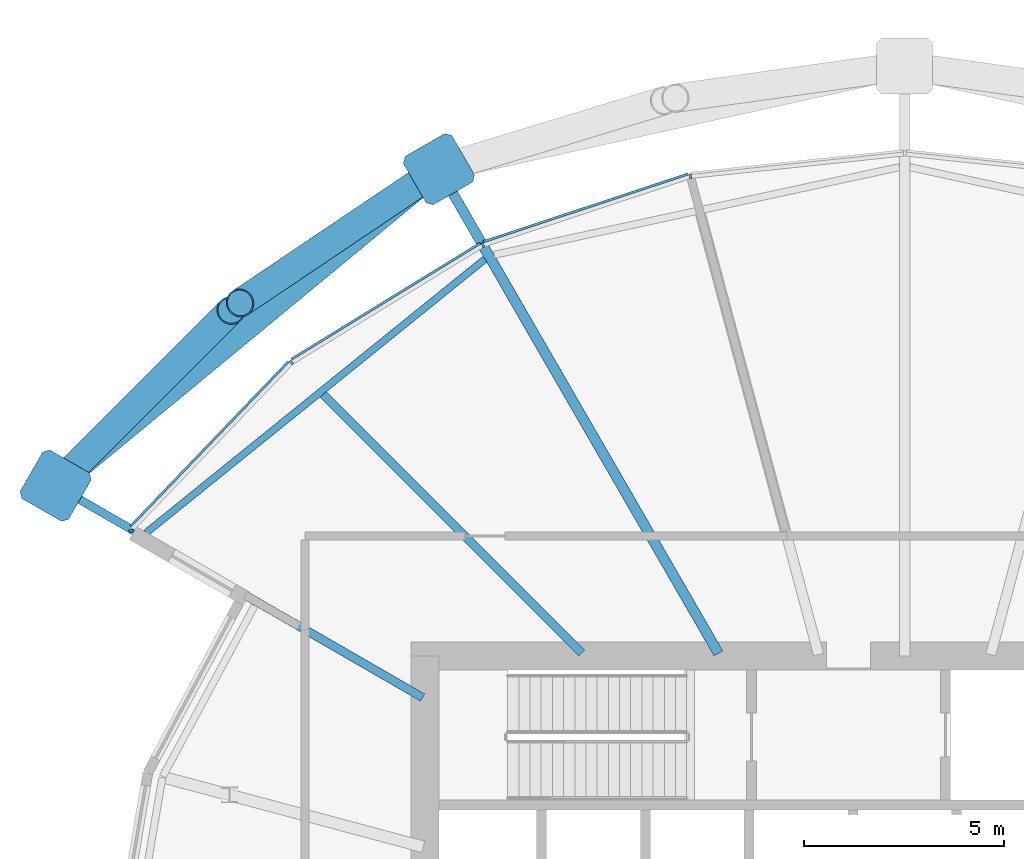
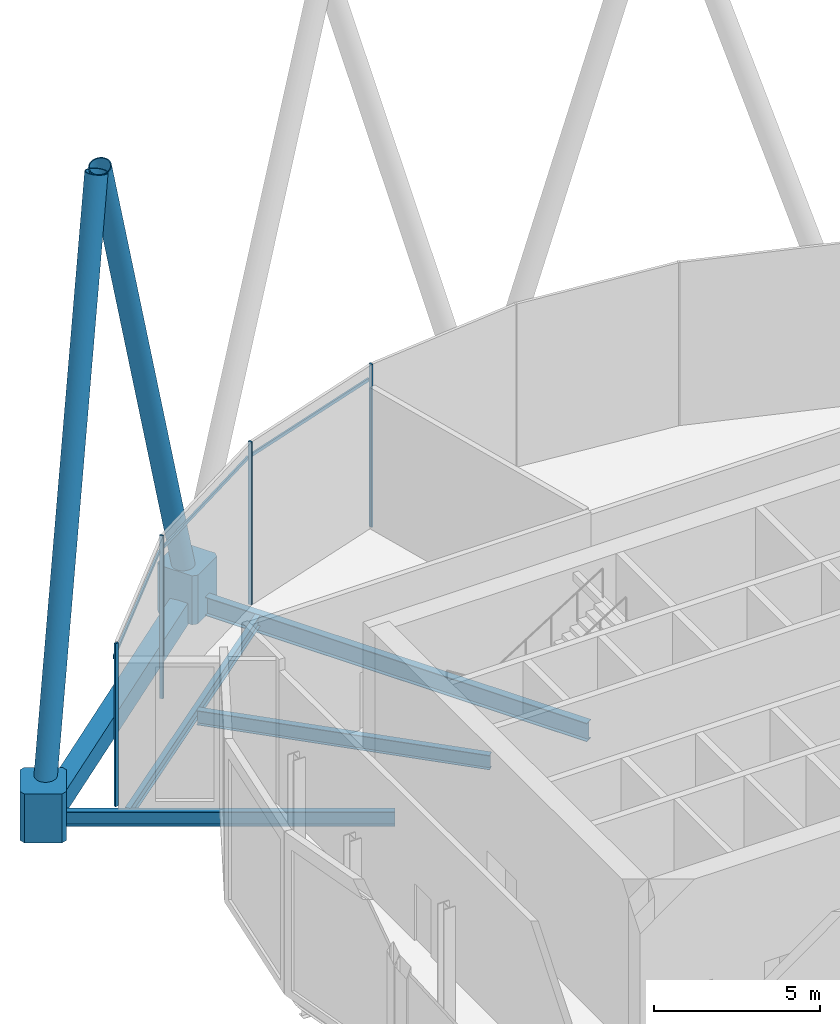
# One storey, part 13 of 39: 11 members, 5 beams, 1 element without a shape of its own.
"""IFC4 building model written with IfcOpenShell, lengths in metres."""

from ifc_helpers import new_model, si_unit, direction, frame, origin, origin_2d, place, context, subcontext, project, spatial, polyline, rectangle, hollow_rectangle, hollow_circle, i_section, outline, extrude, material, material_profile, profile_set, type_object, element, aggregate, save


model = new_model("IFC4")

# Units and contexts
model_context = context("Model", 3, precision=1e-05, world=origin(), true_north=direction((0.0, 1.0)))
body_context = subcontext(model_context, "Body", "Model", "MODEL_VIEW")
ifc_project = project(units=[si_unit("LENGTHUNIT", "METRE"), si_unit("AREAUNIT", "SQUARE_METRE"), si_unit("VOLUMEUNIT", "CUBIC_METRE"), si_unit("PLANEANGLEUNIT", "RADIAN"), si_unit("MASSUNIT", "GRAM", prefix="KILO")], contexts=[model_context])

# Site, building, storey
site_placement = place(None, origin())
site = spatial("IfcSite", under=ifc_project, at=site_placement, CompositionType="ELEMENT")
building_placement = place(site_placement, origin())
building = spatial("IfcBuilding", under=site, at=building_placement, Name="Rimbun Link Towers", CompositionType="ELEMENT")
storey_placement = place(building_placement, frame((0.0, 0.0, 127.199951171875)))
storey = spatial("IfcBuildingStorey", under=building, at=storey_placement, Name="L31", CompositionType="ELEMENT", Elevation=127.199951171875)

# Curtain wall, members
ifc_material_1 = material(Name="Aluminium 6063-T6 louvre wall", Category="aluminium")
curtain_wall_type = type_object("IfcCurtainWallType", Name="CW6 plant floor louvre wall", PredefinedType="NOTDEFINED", material=ifc_material_1)
curtain_wall_placement = place(storey_placement, origin())
curtain_wall = element("IfcCurtainWall", 1, at=curtain_wall_placement, inside=storey, type_object=curtain_wall_type, Name="CW6 L31 T1", PredefinedType="NOTDEFINED")
ifc_material_2 = material(Name="Aluminium 6063-T6", Category="aluminium")
ifc_material_profile_1 = material_profile(ifc_material_2, rectangle(XDim=0.1201171875, YDim=0.06005859375, at=origin_2d()), Name="MULLION 60X120")
ifc_profile_set_1 = profile_set([ifc_material_profile_1], Name="Aluminium 6063-T6")
member_type_1 = type_object("IfcMemberType", Name="CW6 mullion 60X120", PredefinedType="MULLION", material=ifc_profile_set_1)
member_1_placement = place(storey_placement, frame((-37.10595703125, 20.00048828125, 0.0), z_axis=(0.0, 0.0, 1.0), x_axis=(-0.210874745282, 0.977513090348, 0.0)))
member_1 = element("IfcMember", 2, at=member_1_placement, type_object=member_type_1, Name="CW6 mullion", PredefinedType="MULLION", context=body_context, shape_type="SweptSolid", body=[
    extrude(rectangle(XDim=0.1201171875, YDim=0.06005859375, at=origin_2d()), origin(), (0.0, 0.0, 1.0), 6.0),
])
member_2_placement = place(storey_placement, frame((-42.2978515625, 18.27978515625, 0.0), z_axis=(0.0, 0.0, 1.0), x_axis=(-0.421706860892, 0.906732222586, 0.0)))
member_2 = element("IfcMember", 3, at=member_2_placement, type_object=member_type_1, Name="CW6 mullion", PredefinedType="MULLION", context=body_context, shape_type="SweptSolid", body=[
    extrude(rectangle(XDim=0.1201171875, YDim=0.06005859375, at=origin_2d()), origin(), (0.0, 0.0, 1.0), 6.0),
])
member_3_placement = place(storey_placement, frame((-47.082763671875, 15.341796875, 0.0), z_axis=(0.0, 0.0, 1.0), x_axis=(-0.627665809068, 0.778482904197, 0.0)))
member_3 = element("IfcMember", 4, at=member_3_placement, type_object=member_type_1, Name="CW6 mullion", PredefinedType="MULLION", context=body_context, shape_type="SweptSolid", body=[
    extrude(rectangle(XDim=0.1201171875, YDim=0.06005859375, at=origin_2d()), origin(), (0.0, 0.0, 1.0), 6.0),
])
member_4_placement = place(storey_placement, frame((-51.093994140625, 11.12548828125, 0.0), z_axis=(0.0, 0.0, 1.0), x_axis=(-0.990015973363, -0.140955214472, 0.0)))
member_4 = element("IfcMember", 5, at=member_4_placement, type_object=member_type_1, Name="CW6 mullion", PredefinedType="MULLION", context=body_context, shape_type="SweptSolid", body=[
    extrude(rectangle(XDim=0.1201171875, YDim=0.06005859375, at=origin_2d()), origin(), (0.0, 0.0, 1.0), 6.0),
])
ifc_material_3 = material(Name="Aluminium 6063-T6", Category="aluminium")
ifc_material_profile_2 = material_profile(ifc_material_3, rectangle(XDim=0.06005859375, YDim=0.1201171875, at=origin_2d()), Name="TRANSOM 60X120")
ifc_profile_set_2 = profile_set([ifc_material_profile_2], Name="Aluminium 6063-T6")
member_type_2 = type_object("IfcMemberType", Name="CW6 transom 60X120", PredefinedType="USERDEFINED", material=ifc_profile_set_2)
member_5_placement = place(storey_placement, frame((-42.284912109375, 18.3583984375, 5.400146484375), z_axis=(0.949242844608, 0.314544149462, 0.0), x_axis=(-0.314544149462, 0.949242844608, 0.0)))
member_5 = element("IfcMember", 6, at=member_5_placement, type_object=member_type_2, Name="CW6 transom", ObjectType="TRANSOM", PredefinedType="USERDEFINED", context=body_context, shape_type="SweptSolid", body=[
    extrude(rectangle(XDim=0.06005859375, YDim=0.1201171875, at=origin_2d()), origin(), (0.0, 0.0, 1.0), 5.39599609375),
])
member_6_placement = place(storey_placement, frame((-47.087646484375, 15.421630859375, 5.400146484375), z_axis=(0.85219949089, 0.523216998698, 0.0), x_axis=(-0.523216998698, 0.85219949089, 0.0)))
member_6 = element("IfcMember", 7, at=member_6_placement, type_object=member_type_2, Name="CW6 transom", ObjectType="TRANSOM", PredefinedType="USERDEFINED", context=body_context, shape_type="SweptSolid", body=[
    extrude(rectangle(XDim=0.06005859375, YDim=0.1201171875, at=origin_2d()), origin(), (0.0, 0.0, 1.0), 5.54052734375),
])
member_7_placement = place(storey_placement, frame((-51.107666015625, 11.24560546875, 5.400146484375), z_axis=(0.69205685806, 0.721842992078, 0.0), x_axis=(-0.721842992078, 0.69205685806, 0.0)))
member_7 = element("IfcMember", 8, at=member_7_placement, type_object=member_type_2, Name="CW6 transom", ObjectType="TRANSOM", PredefinedType="USERDEFINED", context=body_context, shape_type="SweptSolid", body=[
    extrude(rectangle(XDim=0.06005859375, YDim=0.1201171875, at=origin_2d()), origin(), (0.0, 0.0, 1.0), 5.704833984375),
])
aggregate(curtain_wall, [member_1, member_2, member_3, member_4, member_5, member_6, member_7])

# Members
ifc_material_4 = material(Name="Steel S460NH", Category="steel")
ifc_material_profile_3 = material_profile(ifc_material_4, hollow_circle(Radius=0.355712890625, WallThickness=0.031982421875, at=origin_2d()), Name="Diagrid diagonal CHS 711x32")
ifc_profile_set_3 = profile_set([ifc_material_profile_3], Name="Steel S460NH")
member_type_3 = type_object("IfcMemberType", Name="Diagrid diagonal CHS 711x32", PredefinedType="BRACE", material=ifc_profile_set_3)
member_8_placement = place(storey_placement, frame((-43.521484375, 20.090576171875, 0.47705078125), z_axis=(-0.248182089302, -0.166933190453, 0.954221651649), x_axis=(0.55811760718, -0.829761855327, 0.0)))
element("IfcMember", 9, at=member_8_placement, inside=storey, type_object=member_type_3, Name="Diagrid diagonal T1 L31-L35 08b", PredefinedType="BRACE", context=body_context, shape_type="SweptSolid", body=[
    extrude(hollow_circle(Radius=0.355712890625, WallThickness=0.031982421875, at=origin_2d()), origin(), (0.0, 0.0, 1.0), 19.54052734375),
])
member_9_placement = place(storey_placement, frame((-52.874267578125, 12.367919921875, 0.475830078125), z_axis=(0.217854193558, 0.217754551826, 0.951379264809), x_axis=(-0.706945018132, 0.707268507244, 0.0)))
element("IfcMember", 10, at=member_9_placement, inside=storey, type_object=member_type_3, Name="Diagrid diagonal T1 L31-L35 10a", PredefinedType="BRACE", context=body_context, shape_type="SweptSolid", body=[
    extrude(hollow_circle(Radius=0.355712890625, WallThickness=0.031982421875, at=origin_2d()), origin(), (0.0, 0.0, 1.0), 19.6015625),
])
ifc_material_5 = material(Name="Cast steel G20Mn5+QT, Rp0.2 300 MPa", Category="steel")
ifc_material_profile_4 = material_profile(ifc_material_5, outline(polyline([(0.699951171875, -0.570068359375), (0.699951171875, 0.570068359375), (0.570068359375, 0.699951171875), (-0.570068359375, 0.699951171875), (-0.699951171875, 0.570068359375), (-0.699951171875, -0.570068359375), (-0.570068359375, -0.699951171875), (0.570068359375, -0.699951171875), (0.699951171875, -0.570068359375)])), Name="NODE 1400x1400")
ifc_profile_set_4 = profile_set([ifc_material_profile_4], Name="Cast steel G20Mn5+QT, Rp0.2 300 MPa")
member_type_4 = type_object("IfcMemberType", Name="Diagrid node cast 1400", PredefinedType="USERDEFINED", material=ifc_profile_set_4)
for number, where, z_axis, x_axis, name in (
    (11, (-43.3974609375, 20.174072265625, -0.89990234375), (0.0, 0.0, 1.0), (-0.5, 0.866025403784, 0.0), "Diagrid node L31 08"),
    (12, (-52.983154296875, 12.259033203125, -0.89990234375), (0.0, 0.0, 1.0), (-0.866025403784, 0.5, 0.0), "Diagrid node L31 10"),
):
    element("IfcMember", number, at=place(storey_placement, frame(where, z_axis=z_axis, x_axis=x_axis)), inside=storey, type_object=member_type_4, Name=name, ObjectType="Diagrid node", PredefinedType="USERDEFINED", context=body_context, shape_type="SweptSolid", body=[
        extrude(outline(polyline([(0.699951171875, -0.570068359375), (0.699951171875, 0.570068359375), (0.570068359375, 0.699951171875), (-0.570068359375, 0.699951171875), (-0.699951171875, 0.570068359375), (-0.699951171875, -0.570068359375), (-0.570068359375, -0.699951171875), (0.570068359375, -0.699951171875), (0.699951171875, -0.570068359375)])), origin(), (0.0, 0.0, 1.0), 1.800048828125),
    ])

# Beams
ifc_material_6 = material(Name="Steel S355J2", Category="steel")
ifc_material_profile_5 = material_profile(ifc_material_6, hollow_rectangle(XDim=0.60009765625, YDim=0.800048828125, WallThickness=0.0400390625, at=origin_2d()), Name="Exoskeleton ring girder BOX 600x800x40")
ifc_profile_set_5 = profile_set([ifc_material_profile_5], Name="Steel S355J2")
beam_type_1 = type_object("IfcBeamType", Name="Exoskeleton ring girder BOX 600x800x40", PredefinedType="BEAM", material=ifc_profile_set_5)
beam_1_placement = place(storey_placement, frame((-43.937255859375, 19.728515625, -0.56005859375), z_axis=(-0.77108883163, -0.636727582044, 0.0), x_axis=(0.636727582044, -0.77108883163, 0.0)))
element("IfcBeam", 13, at=beam_1_placement, inside=storey, type_object=beam_type_1, Name="Exoskeleton ring girder L31 04", PredefinedType="BEAM", context=body_context, shape_type="SweptSolid", body=[
    extrude(hollow_rectangle(XDim=0.60009765625, YDim=0.800048828125, WallThickness=0.0400390625, at=origin_2d()), origin(), (0.0, 0.0, 1.0), 11.03125),
])
ifc_material_7 = material(Name="Steel S355J2", Category="steel")
ifc_material_profile_6 = material_profile(ifc_material_7, i_section(OverallWidth=0.177978515625, OverallDepth=0.406494140625, WebThickness=0.0078125, FlangeThickness=0.0126953125, at=origin_2d()), Name="UB 406x178x60")
ifc_profile_set_6 = profile_set([ifc_material_profile_6], Name="Steel S355J2")
beam_type_2 = type_object("IfcBeamType", Name="UB 406x178x60", PredefinedType="BEAM", material=ifc_profile_set_6)
beam_2_placement = place(storey_placement, frame((-42.24560546875, 17.923095703125, -0.383056640625), z_axis=(-0.777984140166, -0.628283914843, 0.0), x_axis=(0.628283914843, -0.777984140166, 0.0)))
element("IfcBeam", 14, at=beam_2_placement, inside=storey, type_object=beam_type_2, Name="Edge beam T1 L31 08-10", PredefinedType="BEAM", context=body_context, shape_type="SweptSolid", body=[
    extrude(i_section(OverallWidth=0.177978515625, OverallDepth=0.406494140625, WebThickness=0.0078125, FlangeThickness=0.0126953125, at=origin_2d()), origin(), (0.0, 0.0, 1.0), 10.8974609375),
])
ifc_material_8 = material(Name="Steel S355J2", Category="steel")
ifc_material_profile_7 = material_profile(ifc_material_8, i_section(OverallWidth=0.209228515625, OverallDepth=0.533203125, WebThickness=0.010009765625, FlangeThickness=0.015625, at=origin_2d()), Name="UB 533x210x92")
ifc_profile_set_7 = profile_set([ifc_material_profile_7], Name="Steel S355J2")
beam_type_3 = type_object("IfcBeamType", Name="UB 533x210x92", PredefinedType="BEAM", material=ifc_profile_set_7)
beam_3_placement = place(storey_placement, frame((-39.82470703125, 8.07470703125, -0.446533203125), z_axis=(-0.707106781187, 0.707106781187, 0.0), x_axis=(-0.707106781187, -0.707106781187, 0.0)))
element("IfcBeam", 15, at=beam_3_placement, inside=storey, type_object=beam_type_3, Name="Radial beam T1 L31 09", PredefinedType="BEAM", context=body_context, shape_type="SweptSolid", body=[
    extrude(i_section(OverallWidth=0.209228515625, OverallDepth=0.533203125, WebThickness=0.010009765625, FlangeThickness=0.015625, at=origin_2d()), origin(), (0.0, 0.0, 1.0), 9.144287109375),
])
beam_4_placement = place(storey_placement, frame((-43.80322265625, 6.958984375, -0.446533203125), z_axis=(-0.866022557752, 0.500004929441, 0.0), x_axis=(-0.500004929441, -0.866022557752, 0.0)))
element("IfcBeam", 16, at=beam_4_placement, inside=storey, type_object=beam_type_3, Name="Radial beam T1 L31 10", PredefinedType="BEAM", context=body_context, shape_type="SweptSolid", body=[
    extrude(i_section(OverallWidth=0.209228515625, OverallDepth=0.533203125, WebThickness=0.010009765625, FlangeThickness=0.015625, at=origin_2d()), origin(), (0.0, 0.0, 1.0), 10.10009765625),
])
ifc_material_9 = material(Name="Steel S355J2", Category="steel")
ifc_material_profile_8 = material_profile(ifc_material_9, i_section(OverallWidth=0.253662109375, OverallDepth=0.68359375, WebThickness=0.012451171875, FlangeThickness=0.01904296875, at=origin_2d()), Name="UB 686x254x140")
ifc_profile_set_8 = profile_set([ifc_material_profile_8], Name="Steel S355J2")
beam_type_4 = type_object("IfcBeamType", Name="UB 686x254x140", PredefinedType="BEAM", material=ifc_profile_set_8)
beam_5_placement = place(storey_placement, frame((-36.406005859375, 8.064208984375, -0.521728515625), z_axis=(-0.499985251534, 0.866033918648, 0.0), x_axis=(-0.866033918648, -0.499985251534, 0.0)))
element("IfcBeam", 17, at=beam_5_placement, inside=storey, type_object=beam_type_4, Name="Radial beam T1 L31 08", PredefinedType="BEAM", context=body_context, shape_type="SweptSolid", body=[
    extrude(i_section(OverallWidth=0.253662109375, OverallDepth=0.68359375, WebThickness=0.012451171875, FlangeThickness=0.01904296875, at=origin_2d()), origin(), (0.0, 0.0, 1.0), 13.4833984375),
])

save(model, "model.ifc")
